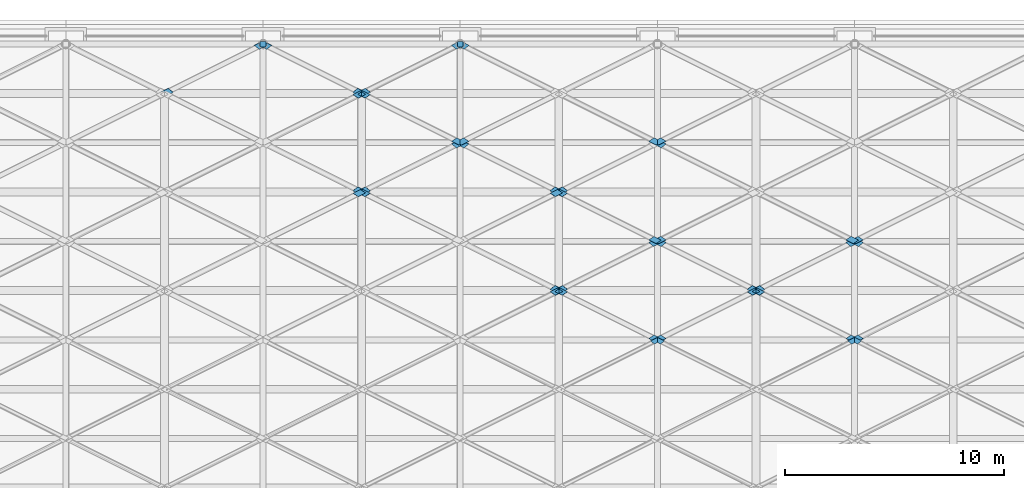
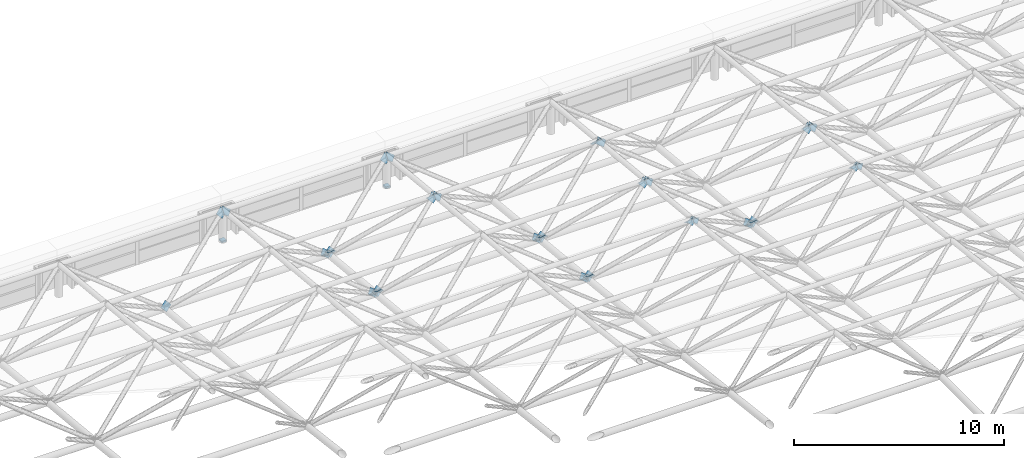
# One storey, part 42 of 53: 50 discrete accessories.
"""IFC4 building model written with IfcOpenShell, lengths in metres."""

from ifc_helpers import new_model, si_unit, direction, frame, origin, origin_2d, place, context, subcontext, project, spatial, polyline, rectangle, outline, extrude, material, layer, layer_set, type_object, element, save


model = new_model("IFC4")

# Units and contexts
model_context = context("Model", 3, precision=1e-05, world=origin(), true_north=direction((0.0, 1.0)))
body_context = subcontext(model_context, "Body", "Model", "MODEL_VIEW")
ifc_project = project(units=[si_unit("LENGTHUNIT", "METRE"), si_unit("AREAUNIT", "SQUARE_METRE"), si_unit("VOLUMEUNIT", "CUBIC_METRE"), si_unit("PLANEANGLEUNIT", "RADIAN"), si_unit("MASSUNIT", "GRAM", prefix="KILO")], contexts=[model_context])

# Site, building, storey
site_placement = place(None, origin())
site = spatial("IfcSite", under=ifc_project, at=site_placement, CompositionType="ELEMENT")
building_placement = place(site_placement, origin())
building = spatial("IfcBuilding", under=site, at=building_placement, Name="Aravalli Gate Trade Fair Centre", CompositionType="ELEMENT")
storey_placement = place(building_placement, frame((0.0, 0.0, 25.199951171875)))
storey = spatial("IfcBuildingStorey", under=building, at=storey_placement, Name="ROOF LEVEL 2", CompositionType="ELEMENT", Elevation=25.199951171875)

# Discrete accessories
ifc_material = material(Name="Steel E350", Category="steel")
discrete_accessory_type_1 = type_object("IfcDiscreteAccessoryType", Name="Bearing shoe sliding along the vault", PredefinedType="BRACKET", material=ifc_material)
discrete_accessory_1_placement = place(storey_placement, frame((42.0, 109.0, 0.0), z_axis=(0.0, 0.0, 1.0), x_axis=(1.0, 0.0, 0.0)))
element("IfcDiscreteAccessory", 1, at=discrete_accessory_1_placement, inside=storey, type_object=discrete_accessory_type_1, Name="Bearing shoe H5 (sliding)", PredefinedType="BRACKET", context=body_context, shape_type="SweptSolid", body=[
    extrude(rectangle(XDim=0.260009765625, YDim=0.260009765625, at=origin_2d()), origin(), (0.0, 0.0, 1.0), 0.10009765625),
])
discrete_accessory_type_2 = type_object("IfcDiscreteAccessoryType", Name="Bearing shoe slotted at the movement joint", PredefinedType="BRACKET", material=ifc_material)
discrete_accessory_2_placement = place(storey_placement, frame((51.0, 109.0, 0.0), z_axis=(0.0, 0.0, 1.0), x_axis=(1.0, 0.0, 0.0)))
element("IfcDiscreteAccessory", 2, at=discrete_accessory_2_placement, inside=storey, type_object=discrete_accessory_type_2, Name="Bearing shoe H6 (slotted)", PredefinedType="BRACKET", context=body_context, shape_type="SweptSolid", body=[
    extrude(rectangle(XDim=0.260009765625, YDim=0.260009765625, at=origin_2d()), origin(), (0.0, 0.0, 1.0), 0.10009765625),
])
ifc_layer_1 = layer(ifc_material, 0.011962890625)
ifc_layer_set_1 = layer_set([ifc_layer_1], Name="Steel E350")
discrete_accessory_type_3 = type_object("IfcDiscreteAccessoryType", Name="Gusset plate 291 x 291 x 12", PredefinedType="USERDEFINED", material=ifc_layer_set_1)
for number, where, z_axis, x_axis, name in (
    (3, (60.138916015625, 95.308349609375, 2.92724609375), (-6.9765199e-05, -0.771154883137, 0.636647580178), (-0.786484474244, 0.393242254842, 0.476238071536), "Gusset plate Space frame web diagonal D5C end A"),
    (4, (69.138916015625, 95.308349609375, 2.92724609375), (-6.9765199e-05, -0.771154883137, 0.636647580178), (-0.786484474244, 0.393242254842, 0.476238071536), "Gusset plate Space frame web diagonal D5C end A"),
):
    element("IfcDiscreteAccessory", number, at=place(storey_placement, frame(where, z_axis=z_axis, x_axis=x_axis)), inside=storey, type_object=discrete_accessory_type_3, Name=name, ObjectType="GUSSET PLATE", PredefinedType="USERDEFINED", context=body_context, shape_type="SweptSolid", body=[
        extrude(outline(polyline([(0.0, 0.0), (0.37064165383501635, 1.3877787807814457e-17), (0.3706783195979393, -0.29059144692340316), (0.00022867857401766278, -0.2904406632211646), (0.0, 0.0)])), origin(), (0.0, 0.0, -1.0), 0.011962890625),
    ])
for number, where, z_axis, x_axis, name in (
    (5, (59.681884765625, 95.453857421875, 3.103515625), (6.9765199e-05, -0.771154883137, 0.636647580178), (0.786233023991, 0.393446013556, 0.476484906794), "Gusset plate Space frame web diagonal D5D end A"),
    (6, (68.681884765625, 95.453857421875, 3.103515625), (6.9765199e-05, -0.771154883137, 0.636647580178), (0.786233023991, 0.393446013556, 0.476484906794), "Gusset plate Space frame web diagonal D5D end A"),
):
    element("IfcDiscreteAccessory", number, at=place(storey_placement, frame(where, z_axis=z_axis, x_axis=x_axis)), inside=storey, type_object=discrete_accessory_type_3, Name=name, ObjectType="GUSSET PLATE", PredefinedType="USERDEFINED", context=body_context, shape_type="SweptSolid", body=[
        extrude(outline(polyline([(0.0, 0.0), (0.37044967171058096, -2.7755575615628914e-17), (0.3702947268495056, -0.290591407927876), (-0.0003468962829482891, -0.29044054608337494), (0.0, 0.0)])), origin(), (0.0, 0.0, -1.0), 0.011962890625),
    ])
ifc_layer_2 = layer(ifc_material, 0.011962890625)
ifc_layer_set_2 = layer_set([ifc_layer_2], Name="Steel E350")
discrete_accessory_type_4 = type_object("IfcDiscreteAccessoryType", Name="Gusset plate 367 x 367 x 12", PredefinedType="USERDEFINED", material=ifc_layer_set_2)
discrete_accessory_3_placement = place(storey_placement, frame((55.103271484375, 97.69580078125, 0.01318359375), z_axis=(-5.6748583e-05, 0.820281851296, 0.571959510117), x_axis=(0.752910033129, 0.376455016564, -0.539822287904)))
element("IfcDiscreteAccessory", 7, at=discrete_accessory_3_placement, inside=storey, type_object=discrete_accessory_type_4, Name="Gusset plate Space frame web diagonal D6A end B", ObjectType="GUSSET PLATE", PredefinedType="USERDEFINED", context=body_context, shape_type="SweptSolid", body=[
    extrude(outline(polyline([(0.0, 0.0), (0.44683397278152426, -2.7755575615628914e-17), (0.446676168543117, -0.36669373954089096), (-0.0001578042384072914, -0.3666937395408909), (0.0, 0.0)])), origin(), (0.0, 0.0, -1.0), 0.011962890625),
])
discrete_accessory_4_placement = place(storey_placement, frame((60.155517578125, 95.721923828125, 2.84228515625), z_axis=(-5.6748583e-05, 0.820281851296, 0.571959510117), x_axis=(-0.752910033129, -0.376455016564, 0.539822287904)))
element("IfcDiscreteAccessory", 8, at=discrete_accessory_4_placement, inside=storey, type_object=discrete_accessory_type_4, Name="Gusset plate Space frame web diagonal D6A end A", ObjectType="GUSSET PLATE", PredefinedType="USERDEFINED", context=body_context, shape_type="SweptSolid", body=[
    extrude(outline(polyline([(0.0, 0.0), (0.44683397278152426, -2.7755575615628914e-17), (0.44699177701993154, 0.3666937395408909), (0.0001578042384072914, 0.3666937395408909), (0.0, 0.0)])), origin(), (0.0, 0.0, -1.0), 0.011962890625),
])
discrete_accessory_5_placement = place(storey_placement, frame((64.103271484375, 97.69580078125, 0.01318359375), z_axis=(-5.6748583e-05, 0.820281851296, 0.571959510117), x_axis=(0.752910033129, 0.376455016564, -0.539822287904)))
element("IfcDiscreteAccessory", 9, at=discrete_accessory_5_placement, inside=storey, type_object=discrete_accessory_type_4, Name="Gusset plate Space frame web diagonal D6A end B", ObjectType="GUSSET PLATE", PredefinedType="USERDEFINED", context=body_context, shape_type="SweptSolid", body=[
    extrude(outline(polyline([(0.0, 0.0), (0.44683397278152426, -2.7755575615628914e-17), (0.446676168543117, -0.36669373954089096), (-0.0001578042384072914, -0.3666937395408909), (0.0, 0.0)])), origin(), (0.0, 0.0, -1.0), 0.011962890625),
])
discrete_accessory_6_placement = place(storey_placement, frame((69.155517578125, 95.721923828125, 2.84228515625), z_axis=(-5.6748583e-05, 0.820281851296, 0.571959510117), x_axis=(-0.752910033129, -0.376455016564, 0.539822287904)))
element("IfcDiscreteAccessory", 10, at=discrete_accessory_6_placement, inside=storey, type_object=discrete_accessory_type_4, Name="Gusset plate Space frame web diagonal D6A end A", ObjectType="GUSSET PLATE", PredefinedType="USERDEFINED", context=body_context, shape_type="SweptSolid", body=[
    extrude(outline(polyline([(0.0, 0.0), (0.44683397278152426, -2.7755575615628914e-17), (0.44699177701993154, 0.3666937395408909), (0.0001578042384072914, 0.3666937395408909), (0.0, 0.0)])), origin(), (0.0, 0.0, -1.0), 0.011962890625),
])
for number, where, z_axis, x_axis, name in (
    (11, (46.103271484375, 102.19580078125, -0.436767578125), (-4.9126691e-05, 0.820140995503, 0.572161467667), (0.752910034648, 0.376583216139, -0.539732860821), "Gusset plate Space frame web diagonal D6A end B"),
    (12, (55.103271484375, 102.19580078125, -0.436767578125), (-4.9126691e-05, 0.820140995503, 0.572161467667), (0.752910034648, 0.376583216139, -0.539732860821), "Gusset plate Space frame web diagonal D6A end B"),
):
    element("IfcDiscreteAccessory", number, at=place(storey_placement, frame(where, z_axis=z_axis, x_axis=x_axis)), inside=storey, type_object=discrete_accessory_type_4, Name=name, ObjectType="GUSSET PLATE", PredefinedType="USERDEFINED", context=body_context, shape_type="SweptSolid", body=[
        extrude(outline(polyline([(0.0, 0.0), (0.4468339673229258, 0.0), (0.44667617399978776, -0.366693732894023), (-2.6022605164321977e-05, -0.3665429734004617), (0.0, 0.0)])), origin(), (0.0, 0.0, -1.0), 0.011962890625),
    ])
for number, where, z_axis, x_axis, name in (
    (13, (60.155517578125, 100.221923828125, 2.392333984375), (-4.9126691e-05, 0.820140995503, 0.572161467667), (-0.752910034648, -0.376583216139, 0.539732860821), "Gusset plate Space frame web diagonal D6A end A"),
    (14, (69.155517578125, 100.221923828125, 2.392333984375), (-4.9126691e-05, 0.820140995503, 0.572161467667), (-0.752910034648, -0.376583216139, 0.539732860821), "Gusset plate Space frame web diagonal D6A end A"),
):
    element("IfcDiscreteAccessory", number, at=place(storey_placement, frame(where, z_axis=z_axis, x_axis=x_axis)), inside=storey, type_object=discrete_accessory_type_4, Name=name, ObjectType="GUSSET PLATE", PredefinedType="USERDEFINED", context=body_context, shape_type="SweptSolid", body=[
        extrude(outline(polyline([(0.0, 0.0), (0.4468339673229258, 0.0), (0.4468599899280901, 0.36654297340046177), (0.00015779332313807515, 0.366693732894023), (0.0, 0.0)])), origin(), (0.0, 0.0, -1.0), 0.011962890625),
    ])
discrete_accessory_7_placement = place(storey_placement, frame((46.103271484375, 106.69580078125, -0.886962890625), z_axis=(-0.000292195819, 0.820164189793, 0.572128146837), x_axis=(0.753132087854, 0.376566043927, -0.539434956975)))
element("IfcDiscreteAccessory", 15, at=discrete_accessory_7_placement, inside=storey, type_object=discrete_accessory_type_4, Name="Gusset plate Space frame web diagonal D6A end B", ObjectType="GUSSET PLATE", PredefinedType="USERDEFINED", context=body_context, shape_type="SweptSolid", body=[
    extrude(outline(polyline([(0.0, 0.0), (0.4467022275054028, 2.7755575615628914e-17), (0.4466682021894723, -0.366693771917302), (-3.402531593046931e-05, -0.366693771917302), (0.0, 0.0)])), origin(), (0.0, 0.0, -1.0), 0.011962890625),
])
for number, where, z_axis, x_axis, name in (
    (16, (51.155517578125, 104.721923828125, 1.9423828125), (-0.000292195819, 0.820164189793, 0.572128146837), (-0.753132087854, -0.376566043927, 0.539434956975), "Gusset plate Space frame web diagonal D6A end A"),
    (17, (60.155517578125, 104.721923828125, 1.9423828125), (-0.000292195819, 0.820164189793, 0.572128146837), (-0.753132087854, -0.376566043927, 0.539434956975), "Gusset plate Space frame web diagonal D6A end A"),
):
    element("IfcDiscreteAccessory", number, at=place(storey_placement, frame(where, z_axis=z_axis, x_axis=x_axis)), inside=storey, type_object=discrete_accessory_type_4, Name=name, ObjectType="GUSSET PLATE", PredefinedType="USERDEFINED", context=body_context, shape_type="SweptSolid", body=[
        extrude(outline(polyline([(0.0, 0.0), (0.4467022275054028, 2.7755575615628914e-17), (0.4467362528213333, 0.36669377191730207), (3.402531593046931e-05, 0.366693771917302), (0.0, 0.0)])), origin(), (0.0, 0.0, -1.0), 0.011962890625),
    ])
discrete_accessory_8_placement = place(storey_placement, frame((59.603271484375, 95.56396484375, 3.06884765625), z_axis=(5.6748583e-05, 0.820281851296, 0.571959510117), x_axis=(0.752910033129, -0.376455016564, 0.539822287904)))
element("IfcDiscreteAccessory", 18, at=discrete_accessory_8_placement, inside=storey, type_object=discrete_accessory_type_4, Name="Gusset plate Space frame web diagonal D6B end A", ObjectType="GUSSET PLATE", PredefinedType="USERDEFINED", context=body_context, shape_type="SweptSolid", body=[
    extrude(outline(polyline([(0.0, 0.0), (0.44683397278152426, 2.7755575615628914e-17), (0.446676168543117, 0.36669373954089096), (-0.0001578042384072914, 0.3666937395408909), (0.0, 0.0)])), origin(), (0.0, 0.0, -1.0), 0.011962890625),
])
discrete_accessory_9_placement = place(storey_placement, frame((55.655517578125, 97.537841796875, 0.23974609375), z_axis=(5.6748583e-05, 0.820281851296, 0.571959510117), x_axis=(-0.752910033129, 0.376455016564, -0.539822287904)))
element("IfcDiscreteAccessory", 19, at=discrete_accessory_9_placement, inside=storey, type_object=discrete_accessory_type_4, Name="Gusset plate Space frame web diagonal D6B end B", ObjectType="GUSSET PLATE", PredefinedType="USERDEFINED", context=body_context, shape_type="SweptSolid", body=[
    extrude(outline(polyline([(0.0, 0.0), (0.44683397278152426, 2.7755575615628914e-17), (0.44699177701993154, -0.3666937395408909), (0.0001578042384072914, -0.3666937395408909), (0.0, 0.0)])), origin(), (0.0, 0.0, -1.0), 0.011962890625),
])
discrete_accessory_10_placement = place(storey_placement, frame((68.603271484375, 95.56396484375, 3.06884765625), z_axis=(5.6748583e-05, 0.820281851296, 0.571959510117), x_axis=(0.752910033129, -0.376455016564, 0.539822287904)))
element("IfcDiscreteAccessory", 20, at=discrete_accessory_10_placement, inside=storey, type_object=discrete_accessory_type_4, Name="Gusset plate Space frame web diagonal D6B end A", ObjectType="GUSSET PLATE", PredefinedType="USERDEFINED", context=body_context, shape_type="SweptSolid", body=[
    extrude(outline(polyline([(0.0, 0.0), (0.44683397278152426, 2.7755575615628914e-17), (0.446676168543117, 0.36669373954089096), (-0.0001578042384072914, 0.3666937395408909), (0.0, 0.0)])), origin(), (0.0, 0.0, -1.0), 0.011962890625),
])
discrete_accessory_11_placement = place(storey_placement, frame((64.655517578125, 97.537841796875, 0.23974609375), z_axis=(5.6748583e-05, 0.820281851296, 0.571959510117), x_axis=(-0.752910033129, 0.376455016564, -0.539822287904)))
element("IfcDiscreteAccessory", 21, at=discrete_accessory_11_placement, inside=storey, type_object=discrete_accessory_type_4, Name="Gusset plate Space frame web diagonal D6B end B", ObjectType="GUSSET PLATE", PredefinedType="USERDEFINED", context=body_context, shape_type="SweptSolid", body=[
    extrude(outline(polyline([(0.0, 0.0), (0.44683397278152426, 2.7755575615628914e-17), (0.44699177701993154, -0.3666937395408909), (0.0001578042384072914, -0.3666937395408909), (0.0, 0.0)])), origin(), (0.0, 0.0, -1.0), 0.011962890625),
])
discrete_accessory_12_placement = place(storey_placement, frame((46.655517578125, 102.037841796875, -0.21044921875), z_axis=(4.9126691e-05, 0.820140995503, 0.572161467667), x_axis=(-0.753132104741, 0.376437815746, -0.539524423623)))
element("IfcDiscreteAccessory", 22, at=discrete_accessory_12_placement, inside=storey, type_object=discrete_accessory_type_4, Name="Gusset plate Space frame web diagonal D6B end B", ObjectType="GUSSET PLATE", PredefinedType="USERDEFINED", context=body_context, shape_type="SweptSolid", body=[
    extrude(outline(polyline([(0.0, 0.0), (0.4467022220451944, 0.0), (0.44673625828195757, -0.3666937652647241), (-9.768359322287479e-05, -0.3665429613078708), (0.0, 0.0)])), origin(), (0.0, 0.0, -1.0), 0.011962890625),
])
discrete_accessory_13_placement = place(storey_placement, frame((59.603271484375, 100.06396484375, 2.618896484375), z_axis=(4.9126691e-05, 0.820140995503, 0.572161467667), x_axis=(0.753132104741, -0.376437815746, 0.539524423623)))
element("IfcDiscreteAccessory", 23, at=discrete_accessory_13_placement, inside=storey, type_object=discrete_accessory_type_4, Name="Gusset plate Space frame web diagonal D6B end A", ObjectType="GUSSET PLATE", PredefinedType="USERDEFINED", context=body_context, shape_type="SweptSolid", body=[
    extrude(outline(polyline([(0.0, 0.0), (0.4467022220451944, 0.0), (0.44679990563841726, 0.3665429613078707), (-3.4036236763179684e-05, 0.3666937652647241), (0.0, 0.0)])), origin(), (0.0, 0.0, -1.0), 0.011962890625),
])
discrete_accessory_14_placement = place(storey_placement, frame((55.655517578125, 102.037841796875, -0.21044921875), z_axis=(4.9126691e-05, 0.820140995503, 0.572161467667), x_axis=(-0.753132104741, 0.376437815746, -0.539524423623)))
element("IfcDiscreteAccessory", 24, at=discrete_accessory_14_placement, inside=storey, type_object=discrete_accessory_type_4, Name="Gusset plate Space frame web diagonal D6B end B", ObjectType="GUSSET PLATE", PredefinedType="USERDEFINED", context=body_context, shape_type="SweptSolid", body=[
    extrude(outline(polyline([(0.0, 0.0), (0.4467022220451944, 0.0), (0.44673625828195757, -0.3666937652647241), (-9.768359322287479e-05, -0.3665429613078708), (0.0, 0.0)])), origin(), (0.0, 0.0, -1.0), 0.011962890625),
])
discrete_accessory_15_placement = place(storey_placement, frame((68.603271484375, 100.06396484375, 2.618896484375), z_axis=(4.9126691e-05, 0.820140995503, 0.572161467667), x_axis=(0.753132104741, -0.376437815746, 0.539524423623)))
element("IfcDiscreteAccessory", 25, at=discrete_accessory_15_placement, inside=storey, type_object=discrete_accessory_type_4, Name="Gusset plate Space frame web diagonal D6B end A", ObjectType="GUSSET PLATE", PredefinedType="USERDEFINED", context=body_context, shape_type="SweptSolid", body=[
    extrude(outline(polyline([(0.0, 0.0), (0.4467022220451944, 0.0), (0.44679990563841726, 0.3665429613078707), (-3.4036236763179684e-05, 0.3666937652647241), (0.0, 0.0)])), origin(), (0.0, 0.0, -1.0), 0.011962890625),
])
discrete_accessory_16_placement = place(storey_placement, frame((50.603271484375, 104.56396484375, 2.1689453125), z_axis=(0.000292195819, 0.820164189793, 0.572128146837), x_axis=(0.753132087854, -0.376566043927, 0.539434956975)))
element("IfcDiscreteAccessory", 26, at=discrete_accessory_16_placement, inside=storey, type_object=discrete_accessory_type_4, Name="Gusset plate Space frame web diagonal D6B end A", ObjectType="GUSSET PLATE", PredefinedType="USERDEFINED", context=body_context, shape_type="SweptSolid", body=[
    extrude(outline(polyline([(0.0, 0.0), (0.4467022275054028, -2.7755575615628914e-17), (0.4466682021894723, 0.366693771917302), (-3.402531593046931e-05, 0.366693771917302), (0.0, 0.0)])), origin(), (0.0, 0.0, -1.0), 0.011962890625),
])
discrete_accessory_17_placement = place(storey_placement, frame((46.655517578125, 106.537841796875, -0.660400390625), z_axis=(0.000292195819, 0.820164189793, 0.572128146837), x_axis=(-0.753132087854, 0.376566043927, -0.539434956975)))
element("IfcDiscreteAccessory", 27, at=discrete_accessory_17_placement, inside=storey, type_object=discrete_accessory_type_4, Name="Gusset plate Space frame web diagonal D6B end B", ObjectType="GUSSET PLATE", PredefinedType="USERDEFINED", context=body_context, shape_type="SweptSolid", body=[
    extrude(outline(polyline([(0.0, 0.0), (0.4467022275054028, -2.7755575615628914e-17), (0.4467362528213333, -0.36669377191730207), (3.402531593046931e-05, -0.366693771917302), (0.0, 0.0)])), origin(), (0.0, 0.0, -1.0), 0.011962890625),
])
discrete_accessory_18_placement = place(storey_placement, frame((59.603271484375, 104.56396484375, 2.1689453125), z_axis=(0.000292195819, 0.820164189793, 0.572128146837), x_axis=(0.753132087854, -0.376566043927, 0.539434956975)))
element("IfcDiscreteAccessory", 28, at=discrete_accessory_18_placement, inside=storey, type_object=discrete_accessory_type_4, Name="Gusset plate Space frame web diagonal D6B end A", ObjectType="GUSSET PLATE", PredefinedType="USERDEFINED", context=body_context, shape_type="SweptSolid", body=[
    extrude(outline(polyline([(0.0, 0.0), (0.4467022275054028, -2.7755575615628914e-17), (0.4466682021894723, 0.366693771917302), (-3.402531593046931e-05, 0.366693771917302), (0.0, 0.0)])), origin(), (0.0, 0.0, -1.0), 0.011962890625),
])
discrete_accessory_19_placement = place(storey_placement, frame((55.0986328125, 97.798583984375, -0.005615234375), z_axis=(-0.000106895173, -0.77673595722, 0.629826358082), x_axis=(0.783044443413, -0.391795440284, -0.483050445204)))
element("IfcDiscreteAccessory", 29, at=discrete_accessory_19_placement, inside=storey, type_object=discrete_accessory_type_4, Name="Gusset plate Space frame web diagonal D6C end B", ObjectType="GUSSET PLATE", PredefinedType="USERDEFINED", context=body_context, shape_type="SweptSolid", body=[
    extrude(outline(polyline([(0.0, 0.0), (0.4467862821424865, 0.0), (0.4468639253124893, 0.3669184164565776), (7.764317000273635e-05, 0.36691841645657763), (0.0, 0.0)])), origin(), (0.0, 0.0, -1.0), 0.011962890625),
])
discrete_accessory_20_placement = place(storey_placement, frame((60.173095703125, 99.76123046875, 2.4150390625), z_axis=(-0.000106895173, -0.77673595722, 0.629826358082), x_axis=(-0.783044443413, 0.391795440284, 0.483050445204)))
element("IfcDiscreteAccessory", 30, at=discrete_accessory_20_placement, inside=storey, type_object=discrete_accessory_type_4, Name="Gusset plate Space frame web diagonal D6C end A", ObjectType="GUSSET PLATE", PredefinedType="USERDEFINED", context=body_context, shape_type="SweptSolid", body=[
    extrude(outline(polyline([(0.0, 0.0), (0.4467862821424865, 0.0), (0.4467086389724838, -0.36691841645657763), (-7.764317000273635e-05, -0.36691841645657763), (0.0, 0.0)])), origin(), (0.0, 0.0, -1.0), 0.011962890625),
])
discrete_accessory_21_placement = place(storey_placement, frame((64.0986328125, 97.798583984375, -0.005615234375), z_axis=(-0.000106895173, -0.77673595722, 0.629826358082), x_axis=(0.783044443413, -0.391795440284, -0.483050445204)))
element("IfcDiscreteAccessory", 31, at=discrete_accessory_21_placement, inside=storey, type_object=discrete_accessory_type_4, Name="Gusset plate Space frame web diagonal D6C end B", ObjectType="GUSSET PLATE", PredefinedType="USERDEFINED", context=body_context, shape_type="SweptSolid", body=[
    extrude(outline(polyline([(0.0, 0.0), (0.4467862821424865, 0.0), (0.4468639253124893, 0.3669184164565776), (7.764317000273635e-05, 0.36691841645657763), (0.0, 0.0)])), origin(), (0.0, 0.0, -1.0), 0.011962890625),
])
discrete_accessory_22_placement = place(storey_placement, frame((69.173095703125, 99.76123046875, 2.4150390625), z_axis=(-0.000106895173, -0.77673595722, 0.629826358082), x_axis=(-0.783044443413, 0.391795440284, 0.483050445204)))
element("IfcDiscreteAccessory", 32, at=discrete_accessory_22_placement, inside=storey, type_object=discrete_accessory_type_4, Name="Gusset plate Space frame web diagonal D6C end A", ObjectType="GUSSET PLATE", PredefinedType="USERDEFINED", context=body_context, shape_type="SweptSolid", body=[
    extrude(outline(polyline([(0.0, 0.0), (0.4467862821424865, 0.0), (0.4467086389724838, -0.36691841645657763), (-7.764317000273635e-05, -0.36691841645657763), (0.0, 0.0)])), origin(), (0.0, 0.0, -1.0), 0.011962890625),
])
discrete_accessory_23_placement = place(storey_placement, frame((46.0986328125, 102.298583984375, -0.45556640625), z_axis=(-0.000106895173, -0.77673595722, 0.629826358082), x_axis=(0.783044443413, -0.391795440284, -0.483050445204)))
element("IfcDiscreteAccessory", 33, at=discrete_accessory_23_placement, inside=storey, type_object=discrete_accessory_type_4, Name="Gusset plate Space frame web diagonal D6C end B", ObjectType="GUSSET PLATE", PredefinedType="USERDEFINED", context=body_context, shape_type="SweptSolid", body=[
    extrude(outline(polyline([(0.0, 0.0), (0.4467862821424865, 0.0), (0.4468639253124893, 0.3669184164565776), (7.764317000273635e-05, 0.36691841645657763), (0.0, 0.0)])), origin(), (0.0, 0.0, -1.0), 0.011962890625),
])
discrete_accessory_24_placement = place(storey_placement, frame((51.173095703125, 104.26123046875, 1.965087890625), z_axis=(-0.000106895173, -0.77673595722, 0.629826358082), x_axis=(-0.783044443413, 0.391795440284, 0.483050445204)))
element("IfcDiscreteAccessory", 34, at=discrete_accessory_24_placement, inside=storey, type_object=discrete_accessory_type_4, Name="Gusset plate Space frame web diagonal D6C end A", ObjectType="GUSSET PLATE", PredefinedType="USERDEFINED", context=body_context, shape_type="SweptSolid", body=[
    extrude(outline(polyline([(0.0, 0.0), (0.4467862821424865, 0.0), (0.4467086389724838, -0.36691841645657763), (-7.764317000273635e-05, -0.36691841645657763), (0.0, 0.0)])), origin(), (0.0, 0.0, -1.0), 0.011962890625),
])
discrete_accessory_25_placement = place(storey_placement, frame((55.0986328125, 102.298583984375, -0.45556640625), z_axis=(-0.000106895173, -0.77673595722, 0.629826358082), x_axis=(0.783044443413, -0.391795440284, -0.483050445204)))
element("IfcDiscreteAccessory", 35, at=discrete_accessory_25_placement, inside=storey, type_object=discrete_accessory_type_4, Name="Gusset plate Space frame web diagonal D6C end B", ObjectType="GUSSET PLATE", PredefinedType="USERDEFINED", context=body_context, shape_type="SweptSolid", body=[
    extrude(outline(polyline([(0.0, 0.0), (0.4467862821424865, 0.0), (0.4468639253124893, 0.3669184164565776), (7.764317000273635e-05, 0.36691841645657763), (0.0, 0.0)])), origin(), (0.0, 0.0, -1.0), 0.011962890625),
])
for number, where, z_axis, x_axis, name in (
    (36, (60.173095703125, 104.26123046875, 1.965087890625), (-0.000106895173, -0.77673595722, 0.629826358082), (-0.783044443413, 0.391795440284, 0.483050445204), "Gusset plate Space frame web diagonal D6C end A"),
    (37, (42.173095703125, 108.76123046875, 1.51513671875), (-0.000106895173, -0.77673595722, 0.629826358082), (-0.783044443413, 0.391795440284, 0.483050445204), "Gusset plate Space frame web diagonal D6C end A"),
):
    element("IfcDiscreteAccessory", number, at=place(storey_placement, frame(where, z_axis=z_axis, x_axis=x_axis)), inside=storey, type_object=discrete_accessory_type_4, Name=name, ObjectType="GUSSET PLATE", PredefinedType="USERDEFINED", context=body_context, shape_type="SweptSolid", body=[
        extrude(outline(polyline([(0.0, 0.0), (0.4467862821424865, 0.0), (0.4467086389724838, -0.36691841645657763), (-7.764317000273635e-05, -0.36691841645657763), (0.0, 0.0)])), origin(), (0.0, 0.0, -1.0), 0.011962890625),
    ])
discrete_accessory_26_placement = place(storey_placement, frame((46.0986328125, 106.798583984375, -0.905517578125), z_axis=(-0.000106895173, -0.77673595722, 0.629826358082), x_axis=(0.783044443413, -0.391795440284, -0.483050445204)))
element("IfcDiscreteAccessory", 38, at=discrete_accessory_26_placement, inside=storey, type_object=discrete_accessory_type_4, Name="Gusset plate Space frame web diagonal D6C end B", ObjectType="GUSSET PLATE", PredefinedType="USERDEFINED", context=body_context, shape_type="SweptSolid", body=[
    extrude(outline(polyline([(0.0, 0.0), (0.4467862821424865, 0.0), (0.4468639253124893, 0.3669184164565776), (7.764317000273635e-05, 0.36691841645657763), (0.0, 0.0)])), origin(), (0.0, 0.0, -1.0), 0.011962890625),
])
discrete_accessory_27_placement = place(storey_placement, frame((51.173095703125, 108.76123046875, 1.51513671875), z_axis=(-0.000106895173, -0.77673595722, 0.629826358082), x_axis=(-0.783044443413, 0.391795440284, 0.483050445204)))
element("IfcDiscreteAccessory", 39, at=discrete_accessory_27_placement, inside=storey, type_object=discrete_accessory_type_4, Name="Gusset plate Space frame web diagonal D6C end A", ObjectType="GUSSET PLATE", PredefinedType="USERDEFINED", context=body_context, shape_type="SweptSolid", body=[
    extrude(outline(polyline([(0.0, 0.0), (0.4467862821424865, 0.0), (0.4467086389724838, -0.36691841645657763), (-7.764317000273635e-05, -0.36691841645657763), (0.0, 0.0)])), origin(), (0.0, 0.0, -1.0), 0.011962890625),
])
discrete_accessory_28_placement = place(storey_placement, frame((59.5986328125, 99.942138671875, 2.63818359375), z_axis=(0.000106895173, -0.77673595722, 0.629826358082), x_axis=(0.783044443413, 0.391795440284, 0.483050445204)))
element("IfcDiscreteAccessory", 40, at=discrete_accessory_28_placement, inside=storey, type_object=discrete_accessory_type_4, Name="Gusset plate Space frame web diagonal D6D end A", ObjectType="GUSSET PLATE", PredefinedType="USERDEFINED", context=body_context, shape_type="SweptSolid", body=[
    extrude(outline(polyline([(0.0, 0.0), (0.4467862821424865, 0.0), (0.4468639253124893, -0.3669184164565776), (7.764317000273635e-05, -0.36691841645657763), (0.0, 0.0)])), origin(), (0.0, 0.0, -1.0), 0.011962890625),
])
discrete_accessory_29_placement = place(storey_placement, frame((55.673095703125, 97.9794921875, 0.217529296875), z_axis=(0.000106895173, -0.77673595722, 0.629826358082), x_axis=(-0.783044443413, -0.391795440284, -0.483050445204)))
element("IfcDiscreteAccessory", 41, at=discrete_accessory_29_placement, inside=storey, type_object=discrete_accessory_type_4, Name="Gusset plate Space frame web diagonal D6D end B", ObjectType="GUSSET PLATE", PredefinedType="USERDEFINED", context=body_context, shape_type="SweptSolid", body=[
    extrude(outline(polyline([(0.0, 0.0), (0.4467862821424865, 0.0), (0.4467086389724838, 0.36691841645657763), (-7.764317000273635e-05, 0.36691841645657763), (0.0, 0.0)])), origin(), (0.0, 0.0, -1.0), 0.011962890625),
])
discrete_accessory_30_placement = place(storey_placement, frame((68.5986328125, 99.942138671875, 2.63818359375), z_axis=(0.000106895173, -0.77673595722, 0.629826358082), x_axis=(0.783044443413, 0.391795440284, 0.483050445204)))
element("IfcDiscreteAccessory", 42, at=discrete_accessory_30_placement, inside=storey, type_object=discrete_accessory_type_4, Name="Gusset plate Space frame web diagonal D6D end A", ObjectType="GUSSET PLATE", PredefinedType="USERDEFINED", context=body_context, shape_type="SweptSolid", body=[
    extrude(outline(polyline([(0.0, 0.0), (0.4467862821424865, 0.0), (0.4468639253124893, -0.3669184164565776), (7.764317000273635e-05, -0.36691841645657763), (0.0, 0.0)])), origin(), (0.0, 0.0, -1.0), 0.011962890625),
])
discrete_accessory_31_placement = place(storey_placement, frame((64.673095703125, 97.9794921875, 0.217529296875), z_axis=(0.000106895173, -0.77673595722, 0.629826358082), x_axis=(-0.783044443413, -0.391795440284, -0.483050445204)))
element("IfcDiscreteAccessory", 43, at=discrete_accessory_31_placement, inside=storey, type_object=discrete_accessory_type_4, Name="Gusset plate Space frame web diagonal D6D end B", ObjectType="GUSSET PLATE", PredefinedType="USERDEFINED", context=body_context, shape_type="SweptSolid", body=[
    extrude(outline(polyline([(0.0, 0.0), (0.4467862821424865, 0.0), (0.4467086389724838, 0.36691841645657763), (-7.764317000273635e-05, 0.36691841645657763), (0.0, 0.0)])), origin(), (0.0, 0.0, -1.0), 0.011962890625),
])
discrete_accessory_32_placement = place(storey_placement, frame((50.5986328125, 104.442138671875, 2.188232421875), z_axis=(0.000106895173, -0.77673595722, 0.629826358082), x_axis=(0.783044443413, 0.391795440284, 0.483050445204)))
element("IfcDiscreteAccessory", 44, at=discrete_accessory_32_placement, inside=storey, type_object=discrete_accessory_type_4, Name="Gusset plate Space frame web diagonal D6D end A", ObjectType="GUSSET PLATE", PredefinedType="USERDEFINED", context=body_context, shape_type="SweptSolid", body=[
    extrude(outline(polyline([(0.0, 0.0), (0.4467862821424865, 0.0), (0.4468639253124893, -0.3669184164565776), (7.764317000273635e-05, -0.36691841645657763), (0.0, 0.0)])), origin(), (0.0, 0.0, -1.0), 0.011962890625),
])
for number, where, z_axis, x_axis, name in (
    (45, (46.673095703125, 102.4794921875, -0.232421875), (0.000106895173, -0.77673595722, 0.629826358082), (-0.783044443413, -0.391795440284, -0.483050445204), "Gusset plate Space frame web diagonal D6D end B"),
    (46, (55.673095703125, 102.4794921875, -0.232421875), (0.000106895173, -0.77673595722, 0.629826358082), (-0.783044443413, -0.391795440284, -0.483050445204), "Gusset plate Space frame web diagonal D6D end B"),
):
    element("IfcDiscreteAccessory", number, at=place(storey_placement, frame(where, z_axis=z_axis, x_axis=x_axis)), inside=storey, type_object=discrete_accessory_type_4, Name=name, ObjectType="GUSSET PLATE", PredefinedType="USERDEFINED", context=body_context, shape_type="SweptSolid", body=[
        extrude(outline(polyline([(0.0, 0.0), (0.4467862821424865, 0.0), (0.4467086389724838, 0.36691841645657763), (-7.764317000273635e-05, 0.36691841645657763), (0.0, 0.0)])), origin(), (0.0, 0.0, -1.0), 0.011962890625),
    ])
discrete_accessory_33_placement = place(storey_placement, frame((41.5986328125, 108.942138671875, 1.73828125), z_axis=(0.000106895173, -0.77673595722, 0.629826358082), x_axis=(0.783044443413, 0.391795440284, 0.483050445204)))
element("IfcDiscreteAccessory", 47, at=discrete_accessory_33_placement, inside=storey, type_object=discrete_accessory_type_4, Name="Gusset plate Space frame web diagonal D6D end A", ObjectType="GUSSET PLATE", PredefinedType="USERDEFINED", context=body_context, shape_type="SweptSolid", body=[
    extrude(outline(polyline([(0.0, 0.0), (0.4467862821424865, 0.0), (0.4468639253124893, -0.3669184164565776), (7.764317000273635e-05, -0.36691841645657763), (0.0, 0.0)])), origin(), (0.0, 0.0, -1.0), 0.011962890625),
])
discrete_accessory_34_placement = place(storey_placement, frame((37.673095703125, 106.9794921875, -0.682373046875), z_axis=(0.000106895173, -0.77673595722, 0.629826358082), x_axis=(-0.783044443413, -0.391795440284, -0.483050445204)))
element("IfcDiscreteAccessory", 48, at=discrete_accessory_34_placement, inside=storey, type_object=discrete_accessory_type_4, Name="Gusset plate Space frame web diagonal D6D end B", ObjectType="GUSSET PLATE", PredefinedType="USERDEFINED", context=body_context, shape_type="SweptSolid", body=[
    extrude(outline(polyline([(0.0, 0.0), (0.4467862821424865, 0.0), (0.4467086389724838, 0.36691841645657763), (-7.764317000273635e-05, 0.36691841645657763), (0.0, 0.0)])), origin(), (0.0, 0.0, -1.0), 0.011962890625),
])
discrete_accessory_35_placement = place(storey_placement, frame((50.5986328125, 108.942138671875, 1.73828125), z_axis=(0.000106895173, -0.77673595722, 0.629826358082), x_axis=(0.783044443413, 0.391795440284, 0.483050445204)))
element("IfcDiscreteAccessory", 49, at=discrete_accessory_35_placement, inside=storey, type_object=discrete_accessory_type_4, Name="Gusset plate Space frame web diagonal D6D end A", ObjectType="GUSSET PLATE", PredefinedType="USERDEFINED", context=body_context, shape_type="SweptSolid", body=[
    extrude(outline(polyline([(0.0, 0.0), (0.4467862821424865, 0.0), (0.4468639253124893, -0.3669184164565776), (7.764317000273635e-05, -0.36691841645657763), (0.0, 0.0)])), origin(), (0.0, 0.0, -1.0), 0.011962890625),
])
discrete_accessory_36_placement = place(storey_placement, frame((46.673095703125, 106.9794921875, -0.682373046875), z_axis=(0.000106895173, -0.77673595722, 0.629826358082), x_axis=(-0.783044443413, -0.391795440284, -0.483050445204)))
element("IfcDiscreteAccessory", 50, at=discrete_accessory_36_placement, inside=storey, type_object=discrete_accessory_type_4, Name="Gusset plate Space frame web diagonal D6D end B", ObjectType="GUSSET PLATE", PredefinedType="USERDEFINED", context=body_context, shape_type="SweptSolid", body=[
    extrude(outline(polyline([(0.0, 0.0), (0.4467862821424865, 0.0), (0.4467086389724838, 0.36691841645657763), (-7.764317000273635e-05, 0.36691841645657763), (0.0, 0.0)])), origin(), (0.0, 0.0, -1.0), 0.011962890625),
])

save(model, "model.ifc")
